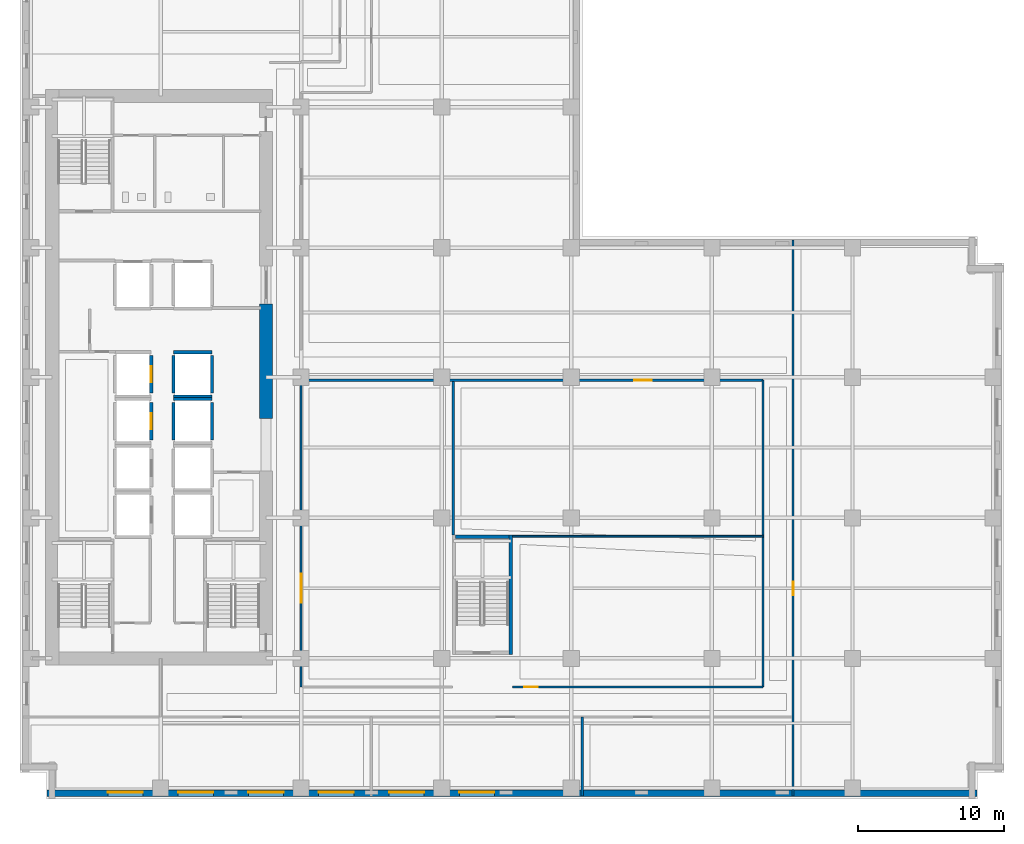
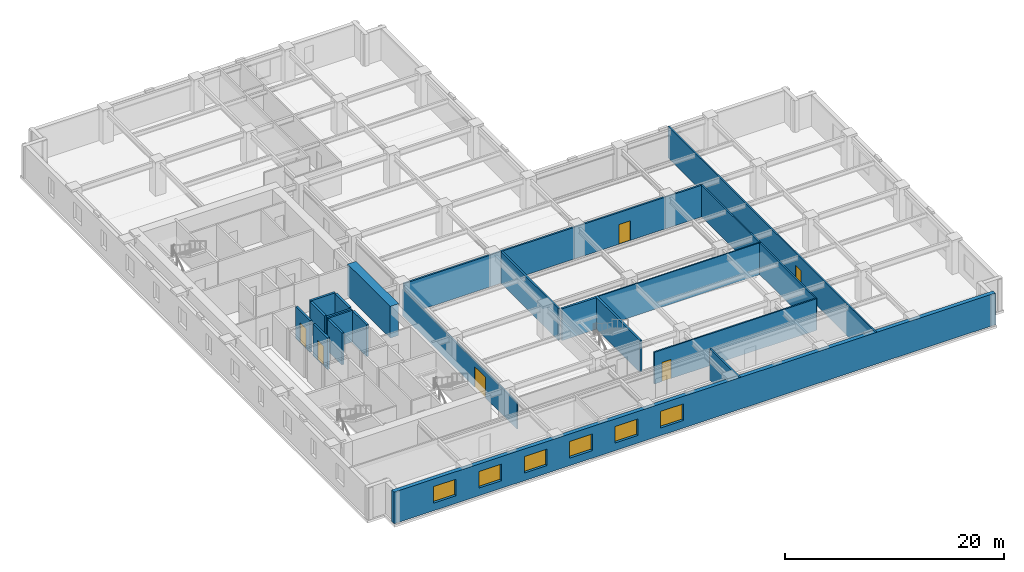
# One storey, part 5 of 13: 21 walls, 6 doors, 6 windows, 12 openings.
"""IFC4 building model written with IfcOpenShell, lengths in metres."""

from ifc_helpers import new_model, si_unit, direction, frame, frame_2d, origin, place, context, subcontext, project, spatial, rectangle, extrude, material, layer, layer_set, type_object, element, fill, save


model = new_model("IFC4")

# Units and contexts
model_context = context("Model", 3, precision=1e-05, world=origin(), true_north=direction((0.0, 1.0)))
body_context = subcontext(model_context, "Body", "Model", "MODEL_VIEW")
ifc_project = project(units=[si_unit("LENGTHUNIT", "METRE"), si_unit("AREAUNIT", "SQUARE_METRE"), si_unit("VOLUMEUNIT", "CUBIC_METRE"), si_unit("PLANEANGLEUNIT", "RADIAN"), si_unit("MASSUNIT", "GRAM", prefix="KILO")], contexts=[model_context])

# Site, building, storey
site_placement = place(None, origin())
site = spatial("IfcSite", under=ifc_project, at=site_placement, CompositionType="ELEMENT")
building_placement = place(site_placement, origin())
building = spatial("IfcBuilding", under=site, at=building_placement, Name="Norrvale University Quadrangle", CompositionType="ELEMENT")
storey_placement = place(building_placement, frame((0.0, 0.0, 69.800048828125)))
storey = spatial("IfcBuildingStorey", under=building, at=storey_placement, Name="L17", CompositionType="ELEMENT", Elevation=69.800048828125)

# Wall, openings, windows
ifc_material_1 = material(Name="Buff Norman Clay Brick Masonry", Category="masonry")
ifc_layer_1 = layer(ifc_material_1, 0.419921875, Name="Buff Norman Clay Brick Masonry")
ifc_layer_set_1 = layer_set([ifc_layer_1], Name="Buff Norman Clay Brick Masonry")
wall_type_1 = type_object("IfcWallType", Name="Wall Buff Brick 420", PredefinedType="SOLIDWALL", material=ifc_layer_set_1)
wall_1_placement = place(storey_placement, frame((1.840087890625, 0.389892578125, 0.0), z_axis=(0.0, 0.0, 1.0), x_axis=(1.0, 0.0, 0.0)))
wall_1 = element("IfcWall", 1, at=wall_1_placement, inside=storey, type_object=wall_type_1, Name="Exterior Brick Facade Wall L17-01.1", PredefinedType="SOLIDWALL", context=body_context, shape_type="SweptSolid", body=[
    extrude(rectangle(XDim=63.52001953125, YDim=0.419921875, at=frame_2d((31.760009765625, 0.0))), origin(), (0.0, 0.0, 1.0), 3.5400390625),
])
opening_1_placement = place(wall_1_placement, frame((4.159912109375, 0.0, 0.85009765625)))
opening_1 = element("IfcOpeningElement", 2, at=opening_1_placement, cuts=wall_1, Name="Opening W02", PredefinedType="OPENING", context=body_context, shape_type="SweptSolid", body=[
    extrude(rectangle(XDim=2.39990234375, YDim=1.85009765625, at=frame_2d((1.199951171875, 0.925048828125))), frame((0.0, 0.221923828125, 0.0), z_axis=(0.0, -1.0, 0.0), x_axis=(1.0, 0.0, 0.0)), (0.0, 0.0, 1.0), 0.44384765625),
])
opening_2_placement = place(wall_1_placement, frame((8.9599609375, 0.0, 0.85009765625)))
opening_2 = element("IfcOpeningElement", 3, at=opening_2_placement, cuts=wall_1, Name="Opening W02", PredefinedType="OPENING", context=body_context, shape_type="SweptSolid", body=[
    extrude(rectangle(XDim=2.39990234375, YDim=1.85009765625, at=frame_2d((1.199951171875, 0.925048828125))), frame((0.0, 0.221923828125, 0.0), z_axis=(0.0, -1.0, 0.0), x_axis=(1.0, 0.0, 0.0)), (0.0, 0.0, 1.0), 0.44384765625),
])
opening_3_placement = place(wall_1_placement, frame((13.760009765625, 0.0, 0.85009765625)))
opening_3 = element("IfcOpeningElement", 4, at=opening_3_placement, cuts=wall_1, Name="Opening W02", PredefinedType="OPENING", context=body_context, shape_type="SweptSolid", body=[
    extrude(rectangle(XDim=2.39990234375, YDim=1.85009765625, at=frame_2d((1.199951171875, 0.925048828125))), frame((0.0, 0.221923828125, 0.0), z_axis=(0.0, -1.0, 0.0), x_axis=(1.0, 0.0, 0.0)), (0.0, 0.0, 1.0), 0.44384765625),
])
opening_4_placement = place(wall_1_placement, frame((18.56005859375, 0.0, 0.85009765625)))
opening_4 = element("IfcOpeningElement", 5, at=opening_4_placement, cuts=wall_1, Name="Opening W02", PredefinedType="OPENING", context=body_context, shape_type="SweptSolid", body=[
    extrude(rectangle(XDim=2.39990234375, YDim=1.85009765625, at=frame_2d((1.199951171875, 0.925048828125))), frame((0.0, 0.221923828125, 0.0), z_axis=(0.0, -1.0, 0.0), x_axis=(1.0, 0.0, 0.0)), (0.0, 0.0, 1.0), 0.44384765625),
])
opening_5_placement = place(wall_1_placement, frame((23.360107421875, 0.0, 0.85009765625)))
opening_5 = element("IfcOpeningElement", 6, at=opening_5_placement, cuts=wall_1, Name="Opening W02", PredefinedType="OPENING", context=body_context, shape_type="SweptSolid", body=[
    extrude(rectangle(XDim=2.39990234375, YDim=1.85009765625, at=frame_2d((1.199951171875, 0.925048828125))), frame((0.0, 0.221923828125, 0.0), z_axis=(0.0, -1.0, 0.0), x_axis=(1.0, 0.0, 0.0)), (0.0, 0.0, 1.0), 0.44384765625),
])
opening_6_placement = place(wall_1_placement, frame((28.159912109375, 0.0, 0.85009765625)))
opening_6 = element("IfcOpeningElement", 7, at=opening_6_placement, cuts=wall_1, Name="Opening W02", PredefinedType="OPENING", context=body_context, shape_type="SweptSolid", body=[
    extrude(rectangle(XDim=2.39990234375, YDim=1.85009765625, at=frame_2d((1.199951171875, 0.925048828125))), frame((0.0, 0.221923828125, 0.0), z_axis=(0.0, -1.0, 0.0), x_axis=(1.0, 0.0, 0.0)), (0.0, 0.0, 1.0), 0.44384765625),
])
ifc_material_2 = material(Name="Triple Low-E Argon Glazing", Category="glass")
window_type = type_object("IfcWindowType", Name="Window Academic 2400x2300", PartitioningType="TRIPLE_PANEL_VERTICAL", PredefinedType="WINDOW", material=ifc_material_2)
window_1_placement = place(opening_1_placement, origin())
window_1 = element("IfcWindow", 8, at=window_1_placement, inside=storey, type_object=window_type, Name="Window Academic 2400x2300 WIN-L17-E01-1-01", OverallHeight=1.85009765625, OverallWidth=2.39990234375, PartitioningType="TRIPLE_PANEL_VERTICAL", PredefinedType="WINDOW", context=body_context, shape_type="SweptSolid", body=[
    extrude(rectangle(XDim=2.39990234375, YDim=1.85009765625, at=frame_2d((1.199951171875, 0.925048828125))), frame((0.0, 0.110107421875, 0.0), z_axis=(0.0, -1.0, 0.0), x_axis=(1.0, 0.0, 0.0)), (0.0, 0.0, 1.0), 0.06005859375),
])
fill(opening_1, window_1)
window_2_placement = place(opening_2_placement, origin())
window_2 = element("IfcWindow", 9, at=window_2_placement, inside=storey, type_object=window_type, Name="Window Academic 2400x2300 WIN-L17-E01-1-02", OverallHeight=1.85009765625, OverallWidth=2.39990234375, PartitioningType="TRIPLE_PANEL_VERTICAL", PredefinedType="WINDOW", context=body_context, shape_type="SweptSolid", body=[
    extrude(rectangle(XDim=2.39990234375, YDim=1.85009765625, at=frame_2d((1.199951171875, 0.925048828125))), frame((0.0, 0.110107421875, 0.0), z_axis=(0.0, -1.0, 0.0), x_axis=(1.0, 0.0, 0.0)), (0.0, 0.0, 1.0), 0.06005859375),
])
fill(opening_2, window_2)
window_3_placement = place(opening_3_placement, origin())
window_3 = element("IfcWindow", 10, at=window_3_placement, inside=storey, type_object=window_type, Name="Window Academic 2400x2300 WIN-L17-E01-1-03", OverallHeight=1.85009765625, OverallWidth=2.39990234375, PartitioningType="TRIPLE_PANEL_VERTICAL", PredefinedType="WINDOW", context=body_context, shape_type="SweptSolid", body=[
    extrude(rectangle(XDim=2.39990234375, YDim=1.85009765625, at=frame_2d((1.199951171875, 0.925048828125))), frame((0.0, 0.110107421875, 0.0), z_axis=(0.0, -1.0, 0.0), x_axis=(1.0, 0.0, 0.0)), (0.0, 0.0, 1.0), 0.06005859375),
])
fill(opening_3, window_3)
window_4_placement = place(opening_4_placement, origin())
window_4 = element("IfcWindow", 11, at=window_4_placement, inside=storey, type_object=window_type, Name="Window Academic 2400x2300 WIN-L17-E01-1-04", OverallHeight=1.85009765625, OverallWidth=2.39990234375, PartitioningType="TRIPLE_PANEL_VERTICAL", PredefinedType="WINDOW", context=body_context, shape_type="SweptSolid", body=[
    extrude(rectangle(XDim=2.39990234375, YDim=1.85009765625, at=frame_2d((1.199951171875, 0.925048828125))), frame((0.0, 0.110107421875, 0.0), z_axis=(0.0, -1.0, 0.0), x_axis=(1.0, 0.0, 0.0)), (0.0, 0.0, 1.0), 0.06005859375),
])
fill(opening_4, window_4)
window_5_placement = place(opening_5_placement, origin())
window_5 = element("IfcWindow", 12, at=window_5_placement, inside=storey, type_object=window_type, Name="Window Academic 2400x2300 WIN-L17-E01-1-05", OverallHeight=1.85009765625, OverallWidth=2.39990234375, PartitioningType="TRIPLE_PANEL_VERTICAL", PredefinedType="WINDOW", context=body_context, shape_type="SweptSolid", body=[
    extrude(rectangle(XDim=2.39990234375, YDim=1.85009765625, at=frame_2d((1.199951171875, 0.925048828125))), frame((0.0, 0.110107421875, 0.0), z_axis=(0.0, -1.0, 0.0), x_axis=(1.0, 0.0, 0.0)), (0.0, 0.0, 1.0), 0.06005859375),
])
fill(opening_5, window_5)
window_6_placement = place(opening_6_placement, origin())
window_6 = element("IfcWindow", 13, at=window_6_placement, inside=storey, type_object=window_type, Name="Window Academic 2400x2300 WIN-L17-E01-1-06", OverallHeight=1.85009765625, OverallWidth=2.39990234375, PartitioningType="TRIPLE_PANEL_VERTICAL", PredefinedType="WINDOW", context=body_context, shape_type="SweptSolid", body=[
    extrude(rectangle(XDim=2.39990234375, YDim=1.85009765625, at=frame_2d((1.199951171875, 0.925048828125))), frame((0.0, 0.110107421875, 0.0), z_axis=(0.0, -1.0, 0.0), x_axis=(1.0, 0.0, 0.0)), (0.0, 0.0, 1.0), 0.06005859375),
])
fill(opening_6, window_6)

# Walls
ifc_material_3 = material(Name="Concrete C80/95", Category="concrete")
ifc_layer_2 = layer(ifc_material_3, 0.89990234375, Name="Concrete C80/95")
ifc_layer_set_2 = layer_set([ifc_layer_2], Name="Concrete C80/95")
wall_type_2 = type_object("IfcWallType", Name="Wall Core 900", PredefinedType="SHEAR", material=ifc_layer_set_2)
wall_2_placement = place(storey_placement, frame((16.800048828125, 26.0, 0.0), z_axis=(0.0, 0.0, 1.0), x_axis=(0.0, 1.0, 0.0)))
element("IfcWall", 14, at=wall_2_placement, inside=storey, type_object=wall_type_2, Name="Tower Core Shear Wall L17-E2", PredefinedType="SHEAR", context=body_context, shape_type="SweptSolid", body=[
    extrude(rectangle(XDim=7.800048828125, YDim=0.89990234375, at=frame_2d((3.89990234375, 0.0))), origin(), (0.0, 0.0, 1.0), 3.5400390625),
])
ifc_material_4 = material(Name="Standard Academic Gypsum Partition")
ifc_layer_3 = layer(ifc_material_4, 0.125, Name="Standard Academic Gypsum Partition")
ifc_layer_set_3 = layer_set([ifc_layer_3], Name="Standard Academic Gypsum Partition")
wall_type_3 = type_object("IfcWallType", Name="Wall Gypsum Academic 125", PredefinedType="PARTITIONING", material=ifc_layer_set_3)
wall_3_placement = place(storey_placement, frame((33.6201171875, 17.93994140625, 0.0), z_axis=(0.0, 0.0, 1.0), x_axis=(1.0, 0.0, 0.0)))
element("IfcWall", 15, at=wall_3_placement, inside=storey, type_object=wall_type_3, Name="Interior Partition WL-L17-ISLH", PredefinedType="PARTITIONING", context=body_context, shape_type="SweptSolid", body=[
    extrude(rectangle(XDim=17.1298828125, YDim=0.125, at=frame_2d((8.56494140625, 0.0))), origin(), (0.0, 0.0, 1.0), 3.5400390625),
])

# Wall, opening, door
ifc_material_5 = material(Name="Fire-Rated Gypsum Stud Partition")
ifc_layer_4 = layer(ifc_material_5, 0.14990234375, Name="Fire-Rated Gypsum Stud Partition")
ifc_layer_set_4 = layer_set([ifc_layer_4], Name="Fire-Rated Gypsum Stud Partition")
wall_type_4 = type_object("IfcWallType", Name="Wall Gypsum Corridor 150", PredefinedType="PARTITIONING", material=ifc_layer_set_4)
wall_4_placement = place(storey_placement, frame((52.800048828125, 0.219970703125, 0.0), z_axis=(0.0, 0.0, 1.0), x_axis=(0.0, 1.0, 0.0)))
wall_4 = element("IfcWall", 16, at=wall_4_placement, inside=storey, type_object=wall_type_4, Name="Interior Partition WL-L17-ECW", PredefinedType="PARTITIONING", context=body_context, shape_type="SweptSolid", body=[
    extrude(rectangle(XDim=37.9599609375, YDim=0.14990234375, at=frame_2d((18.97998046875, 0.0))), origin(), (0.0, 0.0, 1.0), 3.5400390625),
])
opening_7_placement = place(wall_4_placement, frame((13.679931640625, 0.0, 0.0)))
opening_7 = element("IfcOpeningElement", 17, at=opening_7_placement, cuts=wall_4, Name="Opening D07", PredefinedType="OPENING", context=body_context, shape_type="SweptSolid", body=[
    extrude(rectangle(XDim=0.949951171875, YDim=2.14990234375, at=frame_2d((0.47509765625, 1.074951171875))), frame((0.0, 0.0869140625, 0.0), z_axis=(0.0, -1.0, 0.0), x_axis=(1.0, 0.0, 0.0)), (0.0, 0.0, 1.0), 0.173828125),
])
ifc_material_6 = material(Name="Solid-Core Maple Door", Category="wood")
door_type_1 = type_object("IfcDoorType", Name="Door Office 950x2150", OperationType="NOTDEFINED", PredefinedType="DOOR", material=ifc_material_6)
door_1_placement = place(opening_7_placement, origin())
door_1 = element("IfcDoor", 18, at=door_1_placement, inside=storey, type_object=door_type_1, Name="Door Office 950x2150 DR-L17-E01", OperationType="SINGLE_SWING_RIGHT", OverallHeight=2.14990234375, OverallWidth=0.949951171875, PredefinedType="DOOR", context=body_context, shape_type="SweptSolid", body=[
    extrude(rectangle(XDim=0.949951171875, YDim=2.14990234375, at=frame_2d((0.47509765625, 1.074951171875))), frame((0.0, 0.02490234375, 0.0), z_axis=(0.0, -1.0, 0.0), x_axis=(1.0, 0.0, 0.0)), (0.0, 0.0, 1.0), 0.050048828125),
])
fill(opening_7, door_1)

wall_5_placement = place(storey_placement, frame((19.199951171875, 7.64990234375, 0.0), z_axis=(0.0, 0.0, 1.0), x_axis=(0.0, 1.0, 0.0)))
wall_5 = element("IfcWall", 19, at=wall_5_placement, inside=storey, type_object=wall_type_4, Name="Interior Partition WL-L17-ISLW", PredefinedType="PARTITIONING", context=body_context, shape_type="SweptSolid", body=[
    extrude(rectangle(XDim=20.9501953125, YDim=0.14990234375, at=frame_2d((10.47509765625, 0.0))), origin(), (0.0, 0.0, 1.0), 2.9228515625),
])
opening_8_placement = place(wall_5_placement, frame((5.75, 0.0, 0.0)))
opening_8 = element("IfcOpeningElement", 20, at=opening_8_placement, cuts=wall_5, Name="Opening D06", PredefinedType="OPENING", context=body_context, shape_type="SweptSolid", body=[
    extrude(rectangle(XDim=2.0, YDim=2.300048828125, at=frame_2d((1.0, 1.14990234375))), frame((0.0, 0.0869140625, 0.0), z_axis=(0.0, -1.0, 0.0), x_axis=(1.0, 0.0, 0.0)), (0.0, 0.0, 1.0), 0.173828125),
])
ifc_material_7 = material(Name="Acoustic Oak Double Door", Category="wood")
door_type_2 = type_object("IfcDoorType", Name="Door Lecture Dbl 2000x2300", OperationType="DOUBLE_SWING_LEFT", PredefinedType="DOOR", material=ifc_material_7)
door_2_placement = place(opening_8_placement, origin())
door_2 = element("IfcDoor", 21, at=door_2_placement, inside=storey, type_object=door_type_2, Name="Door Lecture Dbl 2000x2300 DR-L17-IW1", OperationType="DOUBLE_SWING_LEFT", OverallHeight=2.300048828125, OverallWidth=2.0, PredefinedType="DOOR", context=body_context, shape_type="SweptSolid", body=[
    extrude(rectangle(XDim=2.0, YDim=2.300048828125, at=frame_2d((1.0, 1.14990234375))), frame((0.0, 0.02490234375, 0.0), z_axis=(0.0, -1.0, 0.0), x_axis=(1.0, 0.0, 0.0)), (0.0, 0.0, 1.0), 0.050048828125),
])
fill(opening_8, door_2)

wall_6_placement = place(storey_placement, frame((33.6201171875, 7.64990234375, 0.0), z_axis=(0.0, 0.0, 1.0), x_axis=(1.0, 0.0, 0.0)))
wall_6 = element("IfcWall", 22, at=wall_6_placement, inside=storey, type_object=wall_type_4, Name="Interior Partition WL-L17-ISLS2", PredefinedType="PARTITIONING", context=body_context, shape_type="SweptSolid", body=[
    extrude(rectangle(XDim=17.1298828125, YDim=0.14990234375, at=frame_2d((8.56494140625, 0.0))), origin(), (0.0, 0.0, 1.0), 3.5400390625),
])
opening_9_placement = place(wall_6_placement, frame((0.800048828125, 0.0, 0.0)))
opening_9 = element("IfcOpeningElement", 23, at=opening_9_placement, cuts=wall_6, Name="Opening D07", PredefinedType="OPENING", context=body_context, shape_type="SweptSolid", body=[
    extrude(rectangle(XDim=0.949951171875, YDim=2.14990234375, at=frame_2d((0.47509765625, 1.074951171875))), frame((0.0, 0.0869140625, 0.0), z_axis=(0.0, -1.0, 0.0), x_axis=(1.0, 0.0, 0.0)), (0.0, 0.0, 1.0), 0.173828125),
])
door_3_placement = place(opening_9_placement, origin())
door_3 = element("IfcDoor", 24, at=door_3_placement, inside=storey, type_object=door_type_1, Name="Door Office 950x2150 DR-L17-ISE", OperationType="SINGLE_SWING_LEFT", OverallHeight=2.14990234375, OverallWidth=0.949951171875, PredefinedType="DOOR", context=body_context, shape_type="SweptSolid", body=[
    extrude(rectangle(XDim=0.949951171875, YDim=2.14990234375, at=frame_2d((0.47509765625, 1.074951171875))), frame((0.0, 0.02490234375, 0.0), z_axis=(0.0, -1.0, 0.0), x_axis=(1.0, 0.0, 0.0)), (0.0, 0.0, 1.0), 0.050048828125),
])
fill(opening_9, door_3)

# Walls
wall_7_placement = place(storey_placement, frame((50.75, 7.64990234375, 0.0), z_axis=(0.0, 0.0, 1.0), x_axis=(0.0, 1.0, 0.0)))
element("IfcWall", 25, at=wall_7_placement, inside=storey, type_object=wall_type_4, Name="Interior Partition WL-L17-ISLE", PredefinedType="PARTITIONING", context=body_context, shape_type="SweptSolid", body=[
    extrude(rectangle(XDim=20.9501953125, YDim=0.14990234375, at=frame_2d((10.47509765625, 0.0))), origin(), (0.0, 0.0, 1.0), 3.5400390625),
])
ifc_material_8 = material(Name="Acoustic Double-Stud Gypsum Partition")
ifc_layer_5 = layer(ifc_material_8, 0.179931640625, Name="Acoustic Double-Stud Gypsum Partition")
ifc_layer_set_5 = layer_set([ifc_layer_5], Name="Acoustic Double-Stud Gypsum Partition")
wall_type_5 = type_object("IfcWallType", Name="Wall Gypsum Lecture 180", PredefinedType="PARTITIONING", material=ifc_layer_set_5)
wall_8_placement = place(storey_placement, frame((29.580078125, 18.02490234375, 0.0), z_axis=(0.0, 0.0, 1.0), x_axis=(0.0, 1.0, 0.0)))
element("IfcWall", 26, at=wall_8_placement, inside=storey, type_object=wall_type_5, Name="Interior Partition WL-L17-ISLD", PredefinedType="PARTITIONING", context=body_context, shape_type="SweptSolid", body=[
    extrude(rectangle(XDim=10.47998046875, YDim=0.179931640625, at=frame_2d((5.239990234375, 0.0))), origin(), (0.0, 0.0, 1.0), 3.5400390625),
])

# Wall, opening, door
wall_9_placement = place(storey_placement, frame((19.280029296875, 28.60009765625, 0.0), z_axis=(0.0, 0.0, 1.0), x_axis=(1.0, 0.0, 0.0)))
wall_9 = element("IfcWall", 27, at=wall_9_placement, inside=storey, type_object=wall_type_5, Name="Interior Partition WL-L17-ISLN", PredefinedType="PARTITIONING", context=body_context, shape_type="SweptSolid", body=[
    extrude(rectangle(XDim=31.469970703125, YDim=0.179931640625, at=frame_2d((15.73486328125, 0.0))), origin(), (0.0, 0.0, 1.0), 3.5400390625),
])
opening_10_placement = place(wall_9_placement, frame((22.669921875, 0.0, 0.0)))
opening_10 = element("IfcOpeningElement", 28, at=opening_10_placement, cuts=wall_9, Name="Opening D05", PredefinedType="OPENING", context=body_context, shape_type="SweptSolid", body=[
    extrude(rectangle(XDim=1.199951171875, YDim=2.199951171875, at=frame_2d((0.60009765625, 1.10009765625))), frame((0.0, 0.10205078125, 0.0), z_axis=(0.0, -1.0, 0.0), x_axis=(1.0, 0.0, 0.0)), (0.0, 0.0, 1.0), 0.203857421875),
])
ifc_material_9 = material(Name="Acoustic Oak Classroom Door", Category="wood")
door_type_3 = type_object("IfcDoorType", Name="Door Classroom 1200x2200", OperationType="NOTDEFINED", PredefinedType="DOOR", material=ifc_material_9)
door_4_placement = place(opening_10_placement, origin())
door_4 = element("IfcDoor", 29, at=door_4_placement, inside=storey, type_object=door_type_3, Name="Door Classroom 1200x2200 DR-L17-ILH", OperationType="SINGLE_SWING_RIGHT", OverallHeight=2.199951171875, OverallWidth=1.199951171875, PredefinedType="DOOR", context=body_context, shape_type="SweptSolid", body=[
    extrude(rectangle(XDim=1.199951171875, YDim=2.199951171875, at=frame_2d((0.60009765625, 1.10009765625))), frame((0.0, 0.02490234375, 0.0), z_axis=(0.0, -1.0, 0.0), x_axis=(1.0, 0.0, 0.0)), (0.0, 0.0, 1.0), 0.050048828125),
])
fill(opening_10, door_4)

# Walls
ifc_material_10 = material(Name="Sanitary Chase Gypsum Partition")
ifc_layer_6 = layer(ifc_material_10, 0.1650390625, Name="Sanitary Chase Gypsum Partition")
ifc_layer_set_6 = layer_set([ifc_layer_6], Name="Sanitary Chase Gypsum Partition")
wall_type_6 = type_object("IfcWallType", Name="Wall Gypsum Sanitary 165", PredefinedType="PLUMBINGWALL", material=ifc_layer_set_6)
wall_10_placement = place(storey_placement, frame((38.39990234375, 0.219970703125, 0.0), z_axis=(0.0, 0.0, 1.0), x_axis=(0.0, 1.0, 0.0)))
element("IfcWall", 30, at=wall_10_placement, inside=storey, type_object=wall_type_6, Name="Interior Partition WL-L17-SP02", PredefinedType="PLUMBINGWALL", context=body_context, shape_type="SweptSolid", body=[
    extrude(rectangle(XDim=5.380126953125, YDim=0.1650390625, at=frame_2d((2.68994140625, 0.0))), origin(), (0.0, 0.0, 1.0), 3.5400390625),
])
ifc_material_11 = material(Name="Concrete Blockwork 20 MPa Fire Shaft", Category="masonry")
ifc_layer_7 = layer(ifc_material_11, 0.219970703125, Name="Concrete Blockwork 20 MPa Fire Shaft")
ifc_layer_set_7 = layer_set([ifc_layer_7], Name="Concrete Blockwork 20 MPa Fire Shaft")
wall_type_7 = type_object("IfcWallType", Name="Wall Shaft 220", PredefinedType="SOLIDWALL", material=ifc_layer_set_7)
wall_11_placement = place(storey_placement, frame((33.510009765625, 9.8798828125, 0.0), z_axis=(0.0, 0.0, 1.0), x_axis=(0.0, 1.0, 0.0)))
element("IfcWall", 31, at=wall_11_placement, inside=storey, type_object=wall_type_7, Name="Stair ST-04 East Shaft Wall L17", PredefinedType="SOLIDWALL", context=body_context, shape_type="SweptSolid", body=[
    extrude(rectangle(XDim=8.14013671875, YDim=0.219970703125, at=frame_2d((4.070068359375, 0.0))), origin(), (0.0, 0.0, 1.0), 3.5400390625),
])
wall_12_placement = place(storey_placement, frame((29.75, 17.909912109375, 0.0), z_axis=(0.0, 0.0, 1.0), x_axis=(1.0, 0.0, 0.0)))
element("IfcWall", 32, at=wall_12_placement, inside=storey, type_object=wall_type_7, Name="Stair ST-04 North Shaft Wall L17", PredefinedType="SOLIDWALL", context=body_context, shape_type="SweptSolid", body=[
    extrude(rectangle(XDim=3.64990234375, YDim=0.219970703125, at=frame_2d((1.824951171875, 0.0))), origin(), (0.0, 0.0, 1.0), 3.5400390625),
])

# Wall, opening, door
wall_13_placement = place(storey_placement, frame((8.9599609375, 24.510009765625, 0.0), z_axis=(0.0, 0.0, 1.0), x_axis=(0.0, 1.0, 0.0)))
wall_13 = element("IfcWall", 33, at=wall_13_placement, inside=storey, type_object=wall_type_7, Name="Hoistway PL-03 East Wall L17", PredefinedType="SOLIDWALL", context=body_context, shape_type="SweptSolid", body=[
    extrude(rectangle(XDim=2.580078125, YDim=0.219970703125, at=frame_2d((1.2900390625, 0.0))), origin(), (0.0, 0.0, 1.0), 3.5400390625),
])
opening_11_placement = place(wall_13_placement, frame((0.739990234375, 0.0, 0.0)))
opening_11 = element("IfcOpeningElement", 34, at=opening_11_placement, cuts=wall_13, Name="Opening LD1", PredefinedType="OPENING", context=body_context, shape_type="SweptSolid", body=[
    extrude(rectangle(XDim=1.10009765625, YDim=2.199951171875, at=frame_2d((0.550048828125, 1.10009765625))), frame((0.0, 0.1220703125, 0.0), z_axis=(0.0, -1.0, 0.0), x_axis=(1.0, 0.0, 0.0)), (0.0, 0.0, 1.0), 0.243896484375),
])
ifc_material_12 = material(Name="Stainless Steel 316L Lift Landing Door", Category="steel")
door_type_4 = type_object("IfcDoorType", Name="Door Lift Landing 1100x2200", OperationType="DOUBLE_DOOR_SLIDING", PredefinedType="DOOR", material=ifc_material_12)
door_5_placement = place(opening_11_placement, origin())
door_5 = element("IfcDoor", 35, at=door_5_placement, inside=storey, type_object=door_type_4, Name="Elevator Landing Door DR-L17-PL-03", OperationType="DOUBLE_DOOR_SLIDING", OverallHeight=2.199951171875, OverallWidth=1.10009765625, PredefinedType="DOOR", context=body_context, shape_type="SweptSolid", body=[
    extrude(rectangle(XDim=1.10009765625, YDim=2.199951171875, at=frame_2d((0.550048828125, 1.10009765625))), frame((0.0, 0.02490234375, 0.0), z_axis=(0.0, -1.0, 0.0), x_axis=(1.0, 0.0, 0.0)), (0.0, 0.0, 1.0), 0.050048828125),
])
fill(opening_11, door_5)

wall_14_placement = place(storey_placement, frame((8.9599609375, 27.7099609375, 0.0), z_axis=(0.0, 0.0, 1.0), x_axis=(0.0, 1.0, 0.0)))
wall_14 = element("IfcWall", 36, at=wall_14_placement, inside=storey, type_object=wall_type_7, Name="Hoistway PL-04 East Wall L17", PredefinedType="SOLIDWALL", context=body_context, shape_type="SweptSolid", body=[
    extrude(rectangle(XDim=2.580078125, YDim=0.219970703125, at=frame_2d((1.2900390625, 0.0))), origin(), (0.0, 0.0, 1.0), 3.5400390625),
])
opening_12_placement = place(wall_14_placement, frame((0.739990234375, 0.0, 0.0)))
opening_12 = element("IfcOpeningElement", 37, at=opening_12_placement, cuts=wall_14, Name="Opening LD1", PredefinedType="OPENING", context=body_context, shape_type="SweptSolid", body=[
    extrude(rectangle(XDim=1.10009765625, YDim=2.199951171875, at=frame_2d((0.550048828125, 1.10009765625))), frame((0.0, 0.1220703125, 0.0), z_axis=(0.0, -1.0, 0.0), x_axis=(1.0, 0.0, 0.0)), (0.0, 0.0, 1.0), 0.243896484375),
])
door_6_placement = place(opening_12_placement, origin())
door_6 = element("IfcDoor", 38, at=door_6_placement, inside=storey, type_object=door_type_4, Name="Elevator Landing Door DR-L17-PL-04", OperationType="DOUBLE_DOOR_SLIDING", OverallHeight=2.199951171875, OverallWidth=1.10009765625, PredefinedType="DOOR", context=body_context, shape_type="SweptSolid", body=[
    extrude(rectangle(XDim=1.10009765625, YDim=2.199951171875, at=frame_2d((0.550048828125, 1.10009765625))), frame((0.0, 0.02490234375, 0.0), z_axis=(0.0, -1.0, 0.0), x_axis=(1.0, 0.0, 0.0)), (0.0, 0.0, 1.0), 0.050048828125),
])
fill(opening_12, door_6)

# Walls
for number, where, z_axis, x_axis, name in (
    (39, (10.489990234375, 24.510009765625, 0.0), (0.0, 0.0, 1.0), (0.0, 1.0, 0.0), "Hoistway PL-07 West Wall L17"),
    (40, (13.110107421875, 24.510009765625, 0.0), (0.0, 0.0, 1.0), (0.0, 1.0, 0.0), "Hoistway PL-07 East Wall L17"),
):
    element("IfcWall", number, at=place(storey_placement, frame(where, z_axis=z_axis, x_axis=x_axis)), inside=storey, type_object=wall_type_7, Name=name, PredefinedType="SOLIDWALL", context=body_context, shape_type="SweptSolid", body=[
        extrude(rectangle(XDim=2.580078125, YDim=0.219970703125, at=frame_2d((1.2900390625, 0.0))), origin(), (0.0, 0.0, 1.0), 3.5400390625),
    ])
wall_15_placement = place(storey_placement, frame((10.489990234375, 27.31005859375, 0.0), z_axis=(0.0, 0.0, 1.0), x_axis=(1.0, 0.0, 0.0)))
element("IfcWall", 41, at=wall_15_placement, inside=storey, type_object=wall_type_7, Name="Hoistway PL-07 North Wall L17", PredefinedType="SOLIDWALL", context=body_context, shape_type="SweptSolid", body=[
    extrude(rectangle(XDim=2.6201171875, YDim=0.219970703125, at=frame_2d((1.31005859375, 0.0))), origin(), (0.0, 0.0, 1.0), 3.5400390625),
])
for number, where, z_axis, x_axis, name in (
    (42, (10.489990234375, 27.7099609375, 0.0), (0.0, 0.0, 1.0), (0.0, 1.0, 0.0), "Hoistway PL-08 West Wall L17"),
    (43, (13.110107421875, 27.7099609375, 0.0), (0.0, 0.0, 1.0), (0.0, 1.0, 0.0), "Hoistway PL-08 East Wall L17"),
):
    element("IfcWall", number, at=place(storey_placement, frame(where, z_axis=z_axis, x_axis=x_axis)), inside=storey, type_object=wall_type_7, Name=name, PredefinedType="SOLIDWALL", context=body_context, shape_type="SweptSolid", body=[
        extrude(rectangle(XDim=2.580078125, YDim=0.219970703125, at=frame_2d((1.2900390625, 0.0))), origin(), (0.0, 0.0, 1.0), 3.5400390625),
    ])
for number, where, z_axis, x_axis, name in (
    (44, (10.489990234375, 27.489990234375, 0.0), (0.0, 0.0, 1.0), (1.0, 0.0, 0.0), "Hoistway PL-08 South Wall L17"),
    (45, (10.489990234375, 30.510009765625, 0.0), (0.0, 0.0, 1.0), (1.0, 0.0, 0.0), "Hoistway PL-08 North Wall L17"),
):
    element("IfcWall", number, at=place(storey_placement, frame(where, z_axis=z_axis, x_axis=x_axis)), inside=storey, type_object=wall_type_7, Name=name, PredefinedType="SOLIDWALL", context=body_context, shape_type="SweptSolid", body=[
        extrude(rectangle(XDim=2.6201171875, YDim=0.219970703125, at=frame_2d((1.31005859375, 0.0))), origin(), (0.0, 0.0, 1.0), 3.5400390625),
    ])

save(model, "model.ifc")
